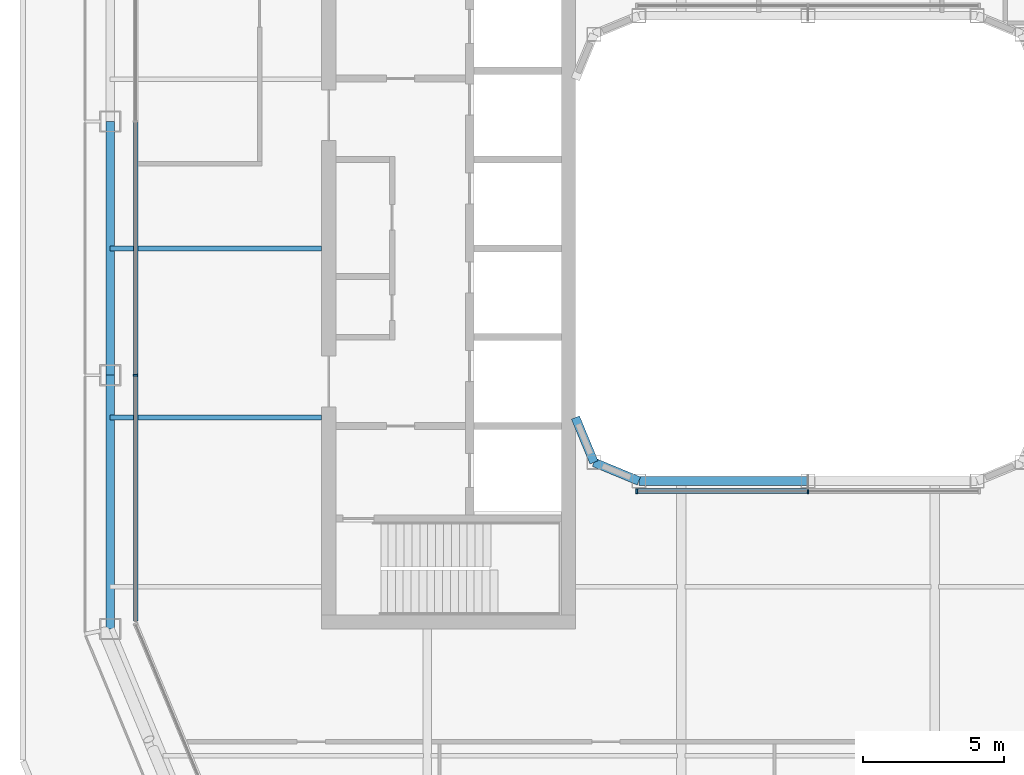
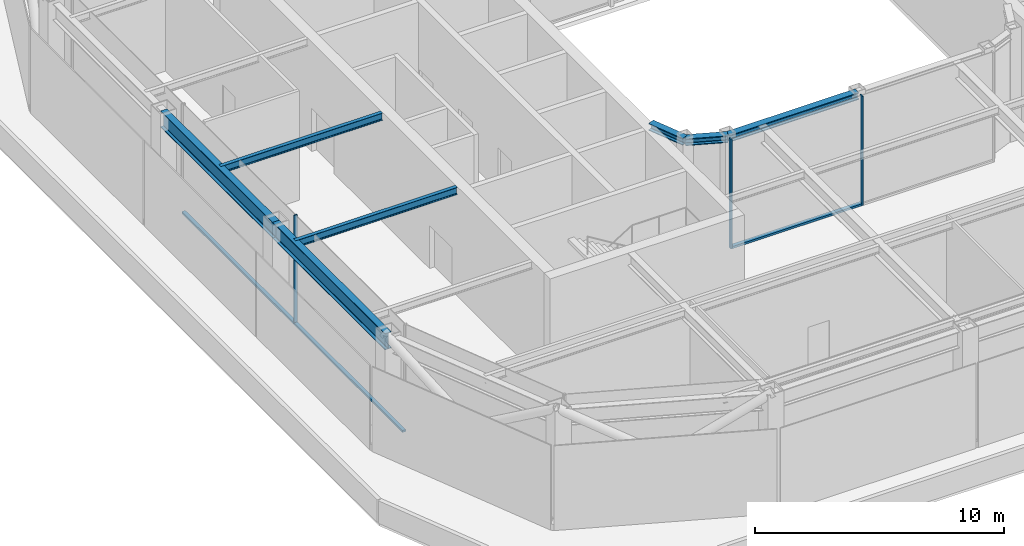
# One storey, part 3 of 17: 7 beams, 6 members, 2 elements without a shape of their own.
"""IFC4 building model written with IfcOpenShell, lengths in metres."""

from ifc_helpers import new_model, si_unit, direction, frame, origin, origin_2d, place, context, subcontext, project, spatial, rectangle, i_section, extrude, material, layer, layer_set, material_profile, profile_set, type_object, element, aggregate, save


model = new_model("IFC4")

# Units and contexts
model_context = context("Model", 3, precision=1e-05, world=origin(), true_north=direction((0.0, 1.0)))
body_context = subcontext(model_context, "Body", "Model", "MODEL_VIEW")
ifc_project = project(units=[si_unit("LENGTHUNIT", "METRE"), si_unit("AREAUNIT", "SQUARE_METRE"), si_unit("VOLUMEUNIT", "CUBIC_METRE"), si_unit("PLANEANGLEUNIT", "RADIAN"), si_unit("MASSUNIT", "GRAM", prefix="KILO")], contexts=[model_context])

# Site, building, storey
site_placement = place(None, origin())
site = spatial("IfcSite", under=ifc_project, at=site_placement, CompositionType="ELEMENT")
building_placement = place(site_placement, origin())
building = spatial("IfcBuilding", under=site, at=building_placement, Name="Siwar Civic Tower", CompositionType="ELEMENT")
storey_placement = place(building_placement, frame((0.0, 0.0, 284.199951171875)))
storey = spatial("IfcBuildingStorey", under=building, at=storey_placement, Name="L61", CompositionType="ELEMENT", Elevation=284.199951171875)

# Curtain wall, member
ifc_material_1 = material(Name="Aluminium and glass", Category="aluminium")
ifc_layer_1 = layer(ifc_material_1, 0.159912109375)
ifc_layer_set_1 = layer_set([ifc_layer_1], Name="Aluminium and glass")
curtain_wall_type_1 = type_object("IfcCurtainWallType", Name="ENV-CW-D", PredefinedType="NOTDEFINED", material=ifc_layer_set_1)
curtain_wall_1_placement = place(storey_placement, origin())
curtain_wall_1 = element("IfcCurtainWall", 1, at=curtain_wall_1_placement, inside=storey, type_object=curtain_wall_type_1, Name="Curtain wall D W", PredefinedType="NOTDEFINED")
ifc_material_2 = material(Name="Aluminium 6063-T6", Category="aluminium")
ifc_material_profile_1 = material_profile(ifc_material_2, rectangle(XDim=0.159912109375, YDim=0.06005859375, at=origin_2d()), Name="AL 160x60")
ifc_profile_set_1 = profile_set([ifc_material_profile_1], Name="Aluminium 6063-T6")
member_type_1 = type_object("IfcMemberType", Name="ENV-MULLION-D", PredefinedType="MULLION", material=ifc_profile_set_1)
member_1_placement = place(storey_placement, frame((-23.85009765625, -4.5, 0.0), z_axis=(0.0, 0.0, 1.0), x_axis=(1.0, 0.0, 0.0)))
member_1 = element("IfcMember", 2, at=member_1_placement, type_object=member_type_1, Name="Mullion D W 3", PredefinedType="MULLION", context=body_context, shape_type="SweptSolid", body=[
    extrude(rectangle(XDim=0.159912109375, YDim=0.06005859375, at=origin_2d()), origin(), (0.0, 0.0, 1.0), 5.35009765625),
])

# Curtain wall, members
ifc_material_3 = material(Name="Aluminium and glass", Category="aluminium")
ifc_layer_2 = layer(ifc_material_3, 0.179931640625)
ifc_layer_set_2 = layer_set([ifc_layer_2], Name="Aluminium and glass")
curtain_wall_type_2 = type_object("IfcCurtainWallType", Name="ENV-CW-W", PredefinedType="NOTDEFINED", material=ifc_layer_set_2)
curtain_wall_2_placement = place(storey_placement, origin())
curtain_wall_2 = element("IfcCurtainWall", 3, at=curtain_wall_2_placement, inside=storey, type_object=curtain_wall_type_2, Name="Curtain wall W WS", PredefinedType="NOTDEFINED")
ifc_material_4 = material(Name="Aluminium 6063-T6", Category="aluminium")
ifc_material_profile_2 = material_profile(ifc_material_4, rectangle(XDim=0.179931640625, YDim=0.06005859375, at=origin_2d()), Name="AL 180x60")
ifc_profile_set_2 = profile_set([ifc_material_profile_2], Name="Aluminium 6063-T6")
member_type_2 = type_object("IfcMemberType", Name="ENV-MULLION-W", PredefinedType="MULLION", material=ifc_profile_set_2)
member_2_placement = place(storey_placement, frame((-6.071533203125, -8.610107421875, 0.0), z_axis=(0.0, 0.0, 1.0), x_axis=(0.0, 1.0, 0.0)))
member_2 = element("IfcMember", 4, at=member_2_placement, type_object=member_type_2, Name="Mullion W WS 1", PredefinedType="MULLION", context=body_context, shape_type="SweptSolid", body=[
    extrude(rectangle(XDim=0.179931640625, YDim=0.06005859375, at=origin_2d()), origin(), (0.0, 0.0, 1.0), 5.35009765625),
])
member_3_placement = place(storey_placement, frame((0.0, -8.610107421875, 0.0), z_axis=(0.0, 0.0, 1.0), x_axis=(0.0, 1.0, 0.0)))
member_3 = element("IfcMember", 5, at=member_3_placement, type_object=member_type_2, Name="Mullion W WS 2", PredefinedType="MULLION", context=body_context, shape_type="SweptSolid", body=[
    extrude(rectangle(XDim=0.179931640625, YDim=0.06005859375, at=origin_2d()), origin(), (0.0, 0.0, 1.0), 5.35009765625),
])

# Member
ifc_material_5 = material(Name="Aluminium 6063-T6", Category="aluminium")
ifc_material_profile_3 = material_profile(ifc_material_5, rectangle(XDim=0.159912109375, YDim=0.10009765625, at=origin_2d()), Name="AL 160x100")
ifc_profile_set_3 = profile_set([ifc_material_profile_3], Name="Aluminium 6063-T6")
member_type_3 = type_object("IfcMemberType", Name="ENV-TRANSOM-D", PredefinedType="USERDEFINED", material=ifc_profile_set_3)
member_4_placement = place(storey_placement, frame((-23.85009765625, 4.469970703125, 0.050048828125), z_axis=(0.0, -1.0, 0.0), x_axis=(1.0, 0.0, 0.0)))
member_4 = element("IfcMember", 6, at=member_4_placement, type_object=member_type_3, Name="Transom D W 2", ObjectType="TRANSOM", PredefinedType="USERDEFINED", context=body_context, shape_type="SweptSolid", body=[
    extrude(rectangle(XDim=0.159912109375, YDim=0.10009765625, at=origin_2d()), origin(), (0.0, 0.0, 1.0), 8.93994140625),
])

member_5_placement = place(storey_placement, frame((-23.85009765625, -4.530029296875, 0.050048828125), z_axis=(0.0, -1.0, 0.0), x_axis=(1.0, 0.0, 0.0)))
member_5 = element("IfcMember", 7, at=member_5_placement, type_object=member_type_3, Name="Transom D W 3", ObjectType="TRANSOM", PredefinedType="USERDEFINED", context=body_context, shape_type="SweptSolid", body=[
    extrude(rectangle(XDim=0.159912109375, YDim=0.10009765625, at=origin_2d()), origin(), (0.0, 0.0, 1.0), 8.693115234375),
])

aggregate(curtain_wall_1, [member_1, member_4, member_5])

ifc_material_6 = material(Name="Aluminium 6063-T6", Category="aluminium")
ifc_material_profile_4 = material_profile(ifc_material_6, rectangle(XDim=0.179931640625, YDim=0.10009765625, at=origin_2d()), Name="AL 180x100")
ifc_profile_set_4 = profile_set([ifc_material_profile_4], Name="Aluminium 6063-T6")
member_type_4 = type_object("IfcMemberType", Name="ENV-TRANSOM-W", PredefinedType="USERDEFINED", material=ifc_profile_set_4)
member_6_placement = place(storey_placement, frame((-6.04150390625, -8.610107421875, 0.050048828125), z_axis=(1.0, 0.0, 0.0), x_axis=(0.0, 1.0, 0.0)))
member_6 = element("IfcMember", 8, at=member_6_placement, type_object=member_type_4, Name="Transom W WS 1", ObjectType="TRANSOM", PredefinedType="USERDEFINED", context=body_context, shape_type="SweptSolid", body=[
    extrude(rectangle(XDim=0.179931640625, YDim=0.10009765625, at=origin_2d()), origin(), (0.0, 0.0, 1.0), 6.011474609375),
])

aggregate(curtain_wall_2, [member_2, member_3, member_6])

# Beams
ifc_material_7 = material(Name="Steel S355", Category="steel")
ifc_material_profile_5 = material_profile(ifc_material_7, i_section(OverallWidth=0.169921875, OverallDepth=0.360107421875, WebThickness=0.008056640625, FlangeThickness=0.0126953125, FilletRadius=0.01806640625, at=origin_2d()), Name="IPE360")
ifc_profile_set_5 = profile_set([ifc_material_profile_5], Name="Steel S355")
beam_type_1 = type_object("IfcBeamType", Name="STR-FB-IPE360", PredefinedType="JOIST", material=ifc_profile_set_5)
for number, where, z_axis, x_axis, name in (
    (9, (-24.75, -6.0, 5.170166015625), (1.0, 0.0, 0.0), (0.0, 1.0, 0.0), "L61/bm/F016"),
    (10, (-24.75, 0.0, 5.170166015625), (1.0, 0.0, 0.0), (0.0, 1.0, 0.0), "L61/bm/F018"),
):
    element("IfcBeam", number, at=place(storey_placement, frame(where, z_axis=z_axis, x_axis=x_axis)), inside=storey, type_object=beam_type_1, Name=name, PredefinedType="JOIST", context=body_context, shape_type="SweptSolid", body=[
        extrude(i_section(OverallWidth=0.169921875, OverallDepth=0.360107421875, WebThickness=0.008056640625, FlangeThickness=0.0126953125, FilletRadius=0.01806640625, at=origin_2d()), origin(), (0.0, 0.0, 1.0), 7.5),
    ])
ifc_material_8 = material(Name="Steel S355", Category="steel")
ifc_material_profile_6 = material_profile(ifc_material_8, i_section(OverallWidth=0.31005859375, OverallDepth=0.340087890625, WebThickness=0.02099609375, FlangeThickness=0.0390625, FilletRadius=0.027099609375, at=origin_2d()), Name="HEM300")
ifc_profile_set_6 = profile_set([ifc_material_profile_6], Name="Steel S355")
beam_type_2 = type_object("IfcBeamType", Name="STR-RB-HEM300", PredefinedType="BEAM", material=ifc_profile_set_6)
beam_1_placement = place(storey_placement, frame((-7.591064453125, -7.591064453125, 5.179931640625), z_axis=(0.923901072997, -0.382631424892, 0.0), x_axis=(0.382631424892, 0.923901072997, 0.0)))
element("IfcBeam", 11, at=beam_1_placement, inside=storey, type_object=beam_type_2, Name="L61/bm/RS0", PredefinedType="BEAM", context=body_context, shape_type="SweptSolid", body=[
    extrude(i_section(OverallWidth=0.31005859375, OverallDepth=0.340087890625, WebThickness=0.02099609375, FlangeThickness=0.0390625, FilletRadius=0.027099609375, at=origin_2d()), origin(), (0.0, 0.0, 1.0), 1.72216796875),
])
beam_2_placement = place(storey_placement, frame((-6.0, -8.25, 5.179931640625), z_axis=(1.0, 0.0, 0.0), x_axis=(0.0, 1.0, 0.0)))
element("IfcBeam", 12, at=beam_2_placement, inside=storey, type_object=beam_type_2, Name="L61/bm/RS1", PredefinedType="BEAM", context=body_context, shape_type="SweptSolid", body=[
    extrude(i_section(OverallWidth=0.31005859375, OverallDepth=0.340087890625, WebThickness=0.02099609375, FlangeThickness=0.0390625, FilletRadius=0.027099609375, at=origin_2d()), origin(), (0.0, 0.0, 1.0), 6.0),
])
beam_3_placement = place(storey_placement, frame((-7.591064453125, -7.591064453125, 5.179931640625), z_axis=(-0.382631424892, 0.923901072997, 0.0), x_axis=(-0.923901072997, -0.382631424892, 0.0)))
element("IfcBeam", 13, at=beam_3_placement, inside=storey, type_object=beam_type_2, Name="L61/bm/RSEW", PredefinedType="BEAM", context=body_context, shape_type="SweptSolid", body=[
    extrude(i_section(OverallWidth=0.31005859375, OverallDepth=0.340087890625, WebThickness=0.02099609375, FlangeThickness=0.0390625, FilletRadius=0.027099609375, at=origin_2d()), origin(), (0.0, 0.0, 1.0), 1.72216796875),
])
ifc_material_9 = material(Name="Steel S355", Category="steel")
ifc_material_profile_7 = material_profile(ifc_material_9, i_section(OverallWidth=0.300048828125, OverallDepth=0.800048828125, WebThickness=0.017578125, FlangeThickness=0.032958984375, FilletRadius=0.030029296875, at=origin_2d()), Name="HEB800")
ifc_profile_set_7 = profile_set([ifc_material_profile_7], Name="Steel S355")
beam_type_3 = type_object("IfcBeamType", Name="STR-SB-HEB800", PredefinedType="BEAM", material=ifc_profile_set_7)
for number, where, z_axis, x_axis, name in (
    (14, (-24.75, 4.5, 4.949951171875), (0.0, -1.0, 0.0), (1.0, 0.0, 0.0), "L61/bm/SW-1"),
    (15, (-24.75, -4.5, 4.949951171875), (0.0, -1.0, 0.0), (1.0, 0.0, 0.0), "L61/bm/SW-2"),
):
    element("IfcBeam", number, at=place(storey_placement, frame(where, z_axis=z_axis, x_axis=x_axis)), inside=storey, type_object=beam_type_3, Name=name, PredefinedType="BEAM", context=body_context, shape_type="SweptSolid", body=[
        extrude(i_section(OverallWidth=0.300048828125, OverallDepth=0.800048828125, WebThickness=0.017578125, FlangeThickness=0.032958984375, FilletRadius=0.030029296875, at=origin_2d()), origin(), (0.0, 0.0, 1.0), 9.0),
    ])

save(model, "model.ifc")
